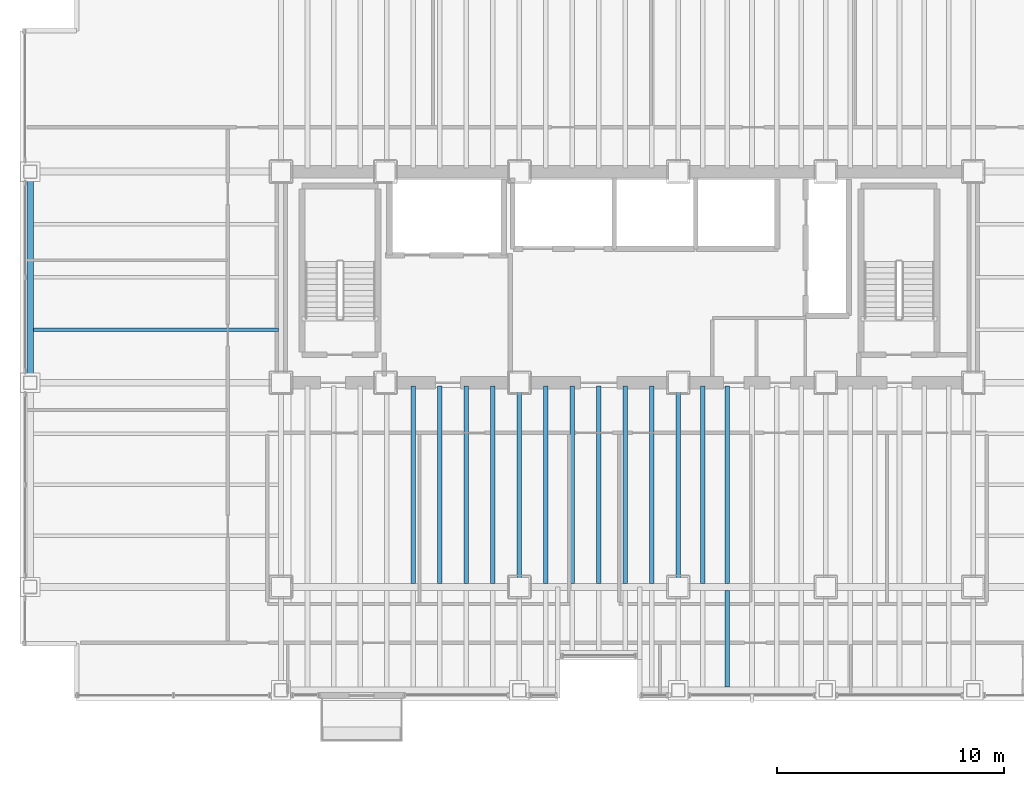
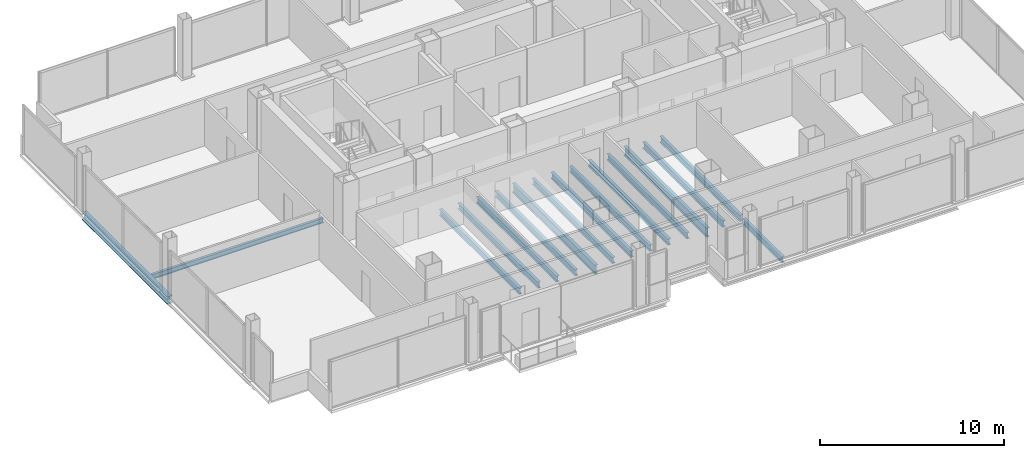
# One storey, part 5 of 21: 16 beams.
"""IFC4 building model written with IfcOpenShell, lengths in metres."""

from ifc_helpers import new_model, si_unit, direction, frame, origin, origin_2d, place, context, subcontext, project, spatial, i_section, extrude, material, material_profile, profile_set, type_object, element, save


model = new_model("IFC4")

# Units and contexts
model_context = context("Model", 3, precision=1e-05, world=origin(), true_north=direction((0.0, 1.0)))
body_context = subcontext(model_context, "Body", "Model", "MODEL_VIEW")
ifc_project = project(units=[si_unit("LENGTHUNIT", "METRE"), si_unit("AREAUNIT", "SQUARE_METRE"), si_unit("VOLUMEUNIT", "CUBIC_METRE"), si_unit("PLANEANGLEUNIT", "RADIAN"), si_unit("MASSUNIT", "GRAM", prefix="KILO")], contexts=[model_context])

# Site, building, storey
site_placement = place(None, origin())
site = spatial("IfcSite", under=ifc_project, at=site_placement, CompositionType="ELEMENT")
building_placement = place(site_placement, origin())
building = spatial("IfcBuilding", under=site, at=building_placement, Name="Noeulbin Bourse Tower", CompositionType="ELEMENT")
storey_placement = place(building_placement, frame((0.0, 0.0, 38.199951171875)))
storey = spatial("IfcBuildingStorey", under=building, at=storey_placement, Name="L09", CompositionType="ELEMENT", Elevation=38.199951171875)

# Beams
ifc_material = material(Name="Steel S355", Category="steel")
ifc_material_profile_1 = material_profile(ifc_material, i_section(OverallWidth=0.199951171875, OverallDepth=0.60009765625, WebThickness=0.010986328125, FlangeThickness=0.01708984375, FilletRadius=0.02197265625, at=origin_2d()), Name="H-600x200x11x17", Category="LoadBearing")
ifc_profile_set_1 = profile_set([ifc_material_profile_1], Name="Steel S355")
beam_type_1 = type_object("IfcBeamType", Name="BM-GRD-600", PredefinedType="USERDEFINED", material=ifc_profile_set_1)
for number, where, z_axis, x_axis, name in (
    (1, (24.0, 20.0, -0.47998046875), (0.0, 1.0, 0.0), (-1.0, 0.0, 0.0), "Tower Primary Girder NS L09-2.2"),
    (2, (31.0, 20.0, -0.47998046875), (0.0, 1.0, 0.0), (-1.0, 0.0, 0.0), "Tower Primary Girder NS L09-3.2"),
):
    element("IfcBeam", number, at=place(storey_placement, frame(where, z_axis=z_axis, x_axis=x_axis)), inside=storey, type_object=beam_type_1, Name=name, ObjectType="GIRDER", PredefinedType="USERDEFINED", context=body_context, shape_type="SweptSolid", body=[
        extrude(i_section(OverallWidth=0.199951171875, OverallDepth=0.60009765625, WebThickness=0.010986328125, FlangeThickness=0.01708984375, FilletRadius=0.02197265625, at=origin_2d()), origin(), (0.0, 0.0, 1.0), 9.0),
    ])
ifc_material_profile_2 = material_profile(ifc_material, i_section(OverallWidth=0.159912109375, OverallDepth=0.320068359375, WebThickness=0.006591796875, FlangeThickness=0.010009765625, FilletRadius=0.012939453125, at=origin_2d()), Name="H-320x160x6.5x10", Category="LoadBearing")
ifc_profile_set_2 = profile_set([ifc_material_profile_2], Name="Steel S355")
beam_type_2 = type_object("IfcBeamType", Name="BM-JST-320", PredefinedType="JOIST", material=ifc_profile_set_2)
beam_1_placement = place(storey_placement, frame((2.60009765625, 31.324951171875, -0.33984375), z_axis=(1.0, 0.0, 0.0), x_axis=(0.0, 1.0, 0.0)))
element("IfcBeam", 3, at=beam_1_placement, inside=storey, type_object=beam_type_2, Name="Wing Composite Joist L09-W73", PredefinedType="JOIST", context=body_context, shape_type="SweptSolid", body=[
    extrude(i_section(OverallWidth=0.159912109375, OverallDepth=0.320068359375, WebThickness=0.006591796875, FlangeThickness=0.010009765625, FilletRadius=0.012939453125, at=origin_2d()), origin(), (0.0, 0.0, 1.0), 10.7998046875),
])
ifc_material_profile_3 = material_profile(ifc_material, i_section(OverallWidth=0.199951171875, OverallDepth=0.39990234375, WebThickness=0.008056640625, FlangeThickness=0.012939453125, FilletRadius=0.01611328125, at=origin_2d()), Name="H-400x200x8x13", Category="LoadBearing")
ifc_profile_set_3 = profile_set([ifc_material_profile_3], Name="Steel S355")
beam_type_3 = type_object("IfcBeamType", Name="BM-SEC-400", PredefinedType="BEAM", material=ifc_profile_set_3)
for number, where, z_axis, x_axis, name in (
    (4, (19.333251953125, 20.14990234375, -0.3798828125), (0.0, 1.0, 0.0), (-1.0, 0.0, 0.0), "Tower Composite Joist L09-14"),
    (5, (20.5, 20.14990234375, -0.3798828125), (0.0, 1.0, 0.0), (-1.0, 0.0, 0.0), "Tower Composite Joist L09-17"),
    (6, (21.666748046875, 20.14990234375, -0.3798828125), (0.0, 1.0, 0.0), (-1.0, 0.0, 0.0), "Tower Composite Joist L09-20"),
    (7, (22.833251953125, 20.14990234375, -0.3798828125), (0.0, 1.0, 0.0), (-1.0, 0.0, 0.0), "Tower Composite Joist L09-23"),
    (8, (25.166748046875, 20.14990234375, -0.3798828125), (0.0, 1.0, 0.0), (-1.0, 0.0, 0.0), "Tower Composite Joist L09-26"),
    (9, (26.333251953125, 20.14990234375, -0.3798828125), (0.0, 1.0, 0.0), (-1.0, 0.0, 0.0), "Tower Composite Joist L09-29"),
    (10, (27.5, 20.14990234375, -0.3798828125), (0.0, 1.0, 0.0), (-1.0, 0.0, 0.0), "Tower Composite Joist L09-32"),
    (11, (28.666748046875, 20.14990234375, -0.3798828125), (0.0, 1.0, 0.0), (-1.0, 0.0, 0.0), "Tower Composite Joist L09-35"),
    (12, (29.833251953125, 20.14990234375, -0.3798828125), (0.0, 1.0, 0.0), (-1.0, 0.0, 0.0), "Tower Composite Joist L09-38"),
    (13, (32.083251953125, 20.14990234375, -0.3798828125), (0.0, 1.0, 0.0), (-1.0, 0.0, 0.0), "Tower Composite Joist L09-41"),
):
    element("IfcBeam", number, at=place(storey_placement, frame(where, z_axis=z_axis, x_axis=x_axis)), inside=storey, type_object=beam_type_3, Name=name, PredefinedType="BEAM", context=body_context, shape_type="SweptSolid", body=[
        extrude(i_section(OverallWidth=0.199951171875, OverallDepth=0.39990234375, WebThickness=0.008056640625, FlangeThickness=0.012939453125, FilletRadius=0.01611328125, at=origin_2d()), origin(), (0.0, 0.0, 1.0), 8.7001953125),
    ])
beam_2_placement = place(storey_placement, frame((33.166748046875, 15.60009765625, -0.3798828125), z_axis=(0.0, 1.0, 0.0), x_axis=(-1.0, 0.0, 0.0)))
element("IfcBeam", 14, at=beam_2_placement, inside=storey, type_object=beam_type_3, Name="Tower Composite Joist L09-43", PredefinedType="BEAM", context=body_context, shape_type="SweptSolid", body=[
    extrude(i_section(OverallWidth=0.199951171875, OverallDepth=0.39990234375, WebThickness=0.008056640625, FlangeThickness=0.012939453125, FilletRadius=0.01611328125, at=origin_2d()), origin(), (0.0, 0.0, 1.0), 4.25),
])
beam_3_placement = place(storey_placement, frame((33.166748046875, 20.14990234375, -0.3798828125), z_axis=(0.0, 1.0, 0.0), x_axis=(-1.0, 0.0, 0.0)))
element("IfcBeam", 15, at=beam_3_placement, inside=storey, type_object=beam_type_3, Name="Tower Composite Joist L09-44", PredefinedType="BEAM", context=body_context, shape_type="SweptSolid", body=[
    extrude(i_section(OverallWidth=0.199951171875, OverallDepth=0.39990234375, WebThickness=0.008056640625, FlangeThickness=0.012939453125, FilletRadius=0.01611328125, at=origin_2d()), origin(), (0.0, 0.0, 1.0), 8.7001953125),
])
ifc_material_profile_4 = material_profile(ifc_material, i_section(OverallWidth=0.300048828125, OverallDepth=0.488037109375, WebThickness=0.010986328125, FlangeThickness=0.01806640625, FilletRadius=0.02197265625, at=origin_2d()), Name="H-488x300x11x18", Category="LoadBearing")
ifc_profile_set_4 = profile_set([ifc_material_profile_4], Name="Steel S355")
beam_type_4 = type_object("IfcBeamType", Name="BM-SPN-488", PredefinedType="SPANDREL", material=ifc_profile_set_4)
beam_4_placement = place(storey_placement, frame((2.449951171875, 29.0, -0.424072265625), z_axis=(0.0, 1.0, 0.0), x_axis=(-1.0, 0.0, 0.0)))
element("IfcBeam", 16, at=beam_4_placement, inside=storey, type_object=beam_type_4, Name="West Spandrel L09-2", PredefinedType="SPANDREL", context=body_context, shape_type="SweptSolid", body=[
    extrude(i_section(OverallWidth=0.300048828125, OverallDepth=0.488037109375, WebThickness=0.010986328125, FlangeThickness=0.01806640625, FilletRadius=0.02197265625, at=origin_2d()), origin(), (0.0, 0.0, 1.0), 9.300048828125),
])

save(model, "model.ifc")
